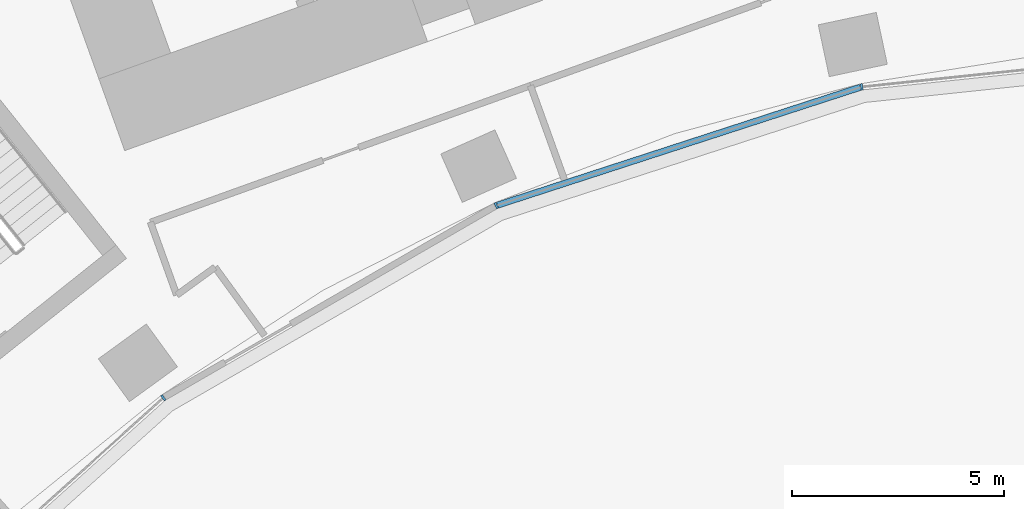
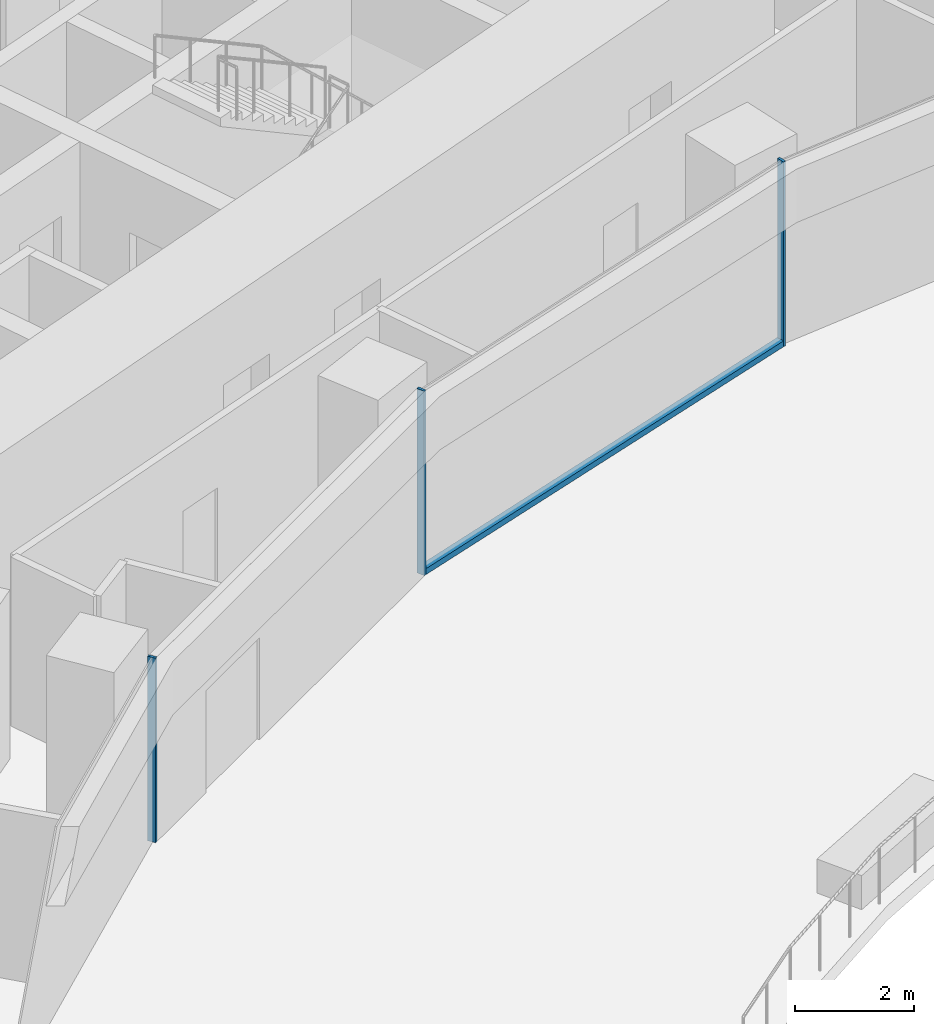
# One storey, part 4 of 24: 4 members, 1 element without a shape of its own.
"""IFC4 building model written with IfcOpenShell, lengths in metres."""

from ifc_helpers import new_model, si_unit, direction, frame, origin, origin_2d, place, context, subcontext, project, spatial, rectangle, extrude, material, layer, layer_set, material_profile, profile_set, type_object, element, aggregate, save


model = new_model("IFC4")

# Units and contexts
model_context = context("Model", 3, precision=1e-05, world=origin(), true_north=direction((0.0, 1.0)))
body_context = subcontext(model_context, "Body", "Model", "MODEL_VIEW")
ifc_project = project(units=[si_unit("LENGTHUNIT", "METRE"), si_unit("AREAUNIT", "SQUARE_METRE"), si_unit("VOLUMEUNIT", "CUBIC_METRE"), si_unit("PLANEANGLEUNIT", "RADIAN"), si_unit("MASSUNIT", "GRAM", prefix="KILO")], contexts=[model_context])

# Site, building, storey
site_placement = place(None, origin())
site = spatial("IfcSite", under=ifc_project, at=site_placement, CompositionType="ELEMENT")
building_placement = place(site_placement, origin())
building = spatial("IfcBuilding", under=site, at=building_placement, Name="Stone Belt Terrace Tower", CompositionType="ELEMENT")
storey_placement = place(building_placement, frame((0.0, 0.0, 30.0)))
storey = spatial("IfcBuildingStorey", under=building, at=storey_placement, Name="L06", CompositionType="ELEMENT", Elevation=30.0)

# Curtain wall, members
ifc_material = material(Name="Aluminium 6063-T6 anodised frame", Category="aluminium")
ifc_layer = layer(ifc_material, 0.14990234375)
ifc_layer_set = layer_set([ifc_layer], Name="CW-B unitised concave-face curtain wall")
curtain_wall_type = type_object("IfcCurtainWallType", Name="CW-B unitised concave-face curtain wall", PredefinedType="NOTDEFINED", material=ifc_layer_set)
curtain_wall_placement = place(storey_placement, origin())
curtain_wall = element("IfcCurtainWall", 1, at=curtain_wall_placement, inside=storey, type_object=curtain_wall_type, Name="CW-B concave face L06", PredefinedType="NOTDEFINED")
ifc_material_profile_1 = material_profile(ifc_material, rectangle(XDim=0.14990234375, YDim=0.050048828125, at=origin_2d()), Name="Aluminium 6063-T6 50x150")
ifc_profile_set_1 = profile_set([ifc_material_profile_1], Name="Aluminium 6063-T6 anodised frame")
member_type_1 = type_object("IfcMemberType", Name="CW-B mullion 50 x 150", PredefinedType="MULLION", material=ifc_profile_set_1)
member_1_placement = place(storey_placement, frame((-25.5244140625, 35.13134765625, 0.0), z_axis=(0.0, 0.0, 1.0), x_axis=(-0.587785252292, 0.809016994375, 0.0)))
member_1 = element("IfcMember", 2, at=member_1_placement, type_object=member_type_1, Name="CW-B mullion 3", PredefinedType="MULLION", context=body_context, shape_type="SweptSolid", body=[
    extrude(rectangle(XDim=0.14990234375, YDim=0.050048828125, at=origin_2d()), origin(), (0.0, 0.0, 1.0), 3.800048828125),
])
member_2_placement = place(storey_placement, frame((-17.662353515625, 39.67041015625, 0.0), z_axis=(0.0, 0.0, 1.0), x_axis=(-0.406736643076, 0.913545457643, 0.0)))
member_2 = element("IfcMember", 3, at=member_2_placement, type_object=member_type_1, Name="CW-B mullion 4", PredefinedType="MULLION", context=body_context, shape_type="SweptSolid", body=[
    extrude(rectangle(XDim=0.14990234375, YDim=0.050048828125, at=origin_2d()), origin(), (0.0, 0.0, 1.0), 3.800048828125),
])
member_3_placement = place(storey_placement, frame((-9.028564453125, 42.4755859375, 0.0), z_axis=(0.0, 0.0, 1.0), x_axis=(-0.207911690818, 0.978147600734, 0.0)))
member_3 = element("IfcMember", 4, at=member_3_placement, type_object=member_type_1, Name="CW-B mullion 5", PredefinedType="MULLION", context=body_context, shape_type="SweptSolid", body=[
    extrude(rectangle(XDim=0.14990234375, YDim=0.050048828125, at=origin_2d()), origin(), (0.0, 0.0, 1.0), 3.800048828125),
])
ifc_material_profile_2 = material_profile(ifc_material, rectangle(XDim=0.14990234375, YDim=0.1201171875, at=origin_2d()), Name="Aluminium 6063-T6 150x120")
ifc_profile_set_2 = profile_set([ifc_material_profile_2], Name="Aluminium 6063-T6 anodised frame")
member_type_2 = type_object("IfcMemberType", Name="CW-B transom 120 x 150", PredefinedType="USERDEFINED", material=ifc_profile_set_2)
member_4_placement = place(storey_placement, frame((-17.63134765625, 39.680419921875, 0.06005859375), z_axis=(0.951055963285, 0.309018696359, 0.0), x_axis=(-0.309018696359, 0.951055963285, 0.0)))
member_4 = element("IfcMember", 5, at=member_4_placement, type_object=member_type_2, Name="CW-B transom 4.1", ObjectType="TRANSOM", PredefinedType="USERDEFINED", context=body_context, shape_type="SweptSolid", body=[
    extrude(rectangle(XDim=0.14990234375, YDim=0.1201171875, at=origin_2d()), origin(), (0.0, 0.0, 1.0), 9.012939453125),
])
aggregate(curtain_wall, [member_1, member_2, member_3, member_4])

save(model, "model.ifc")
